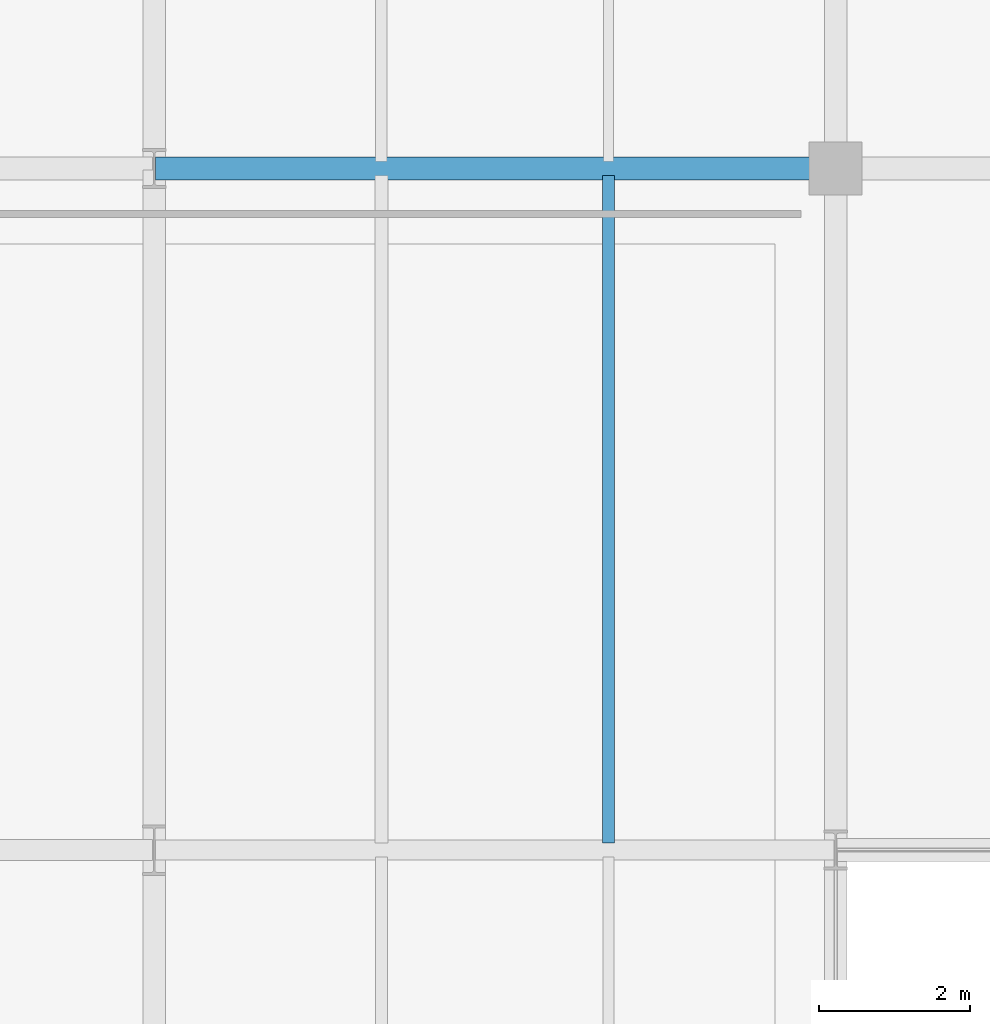
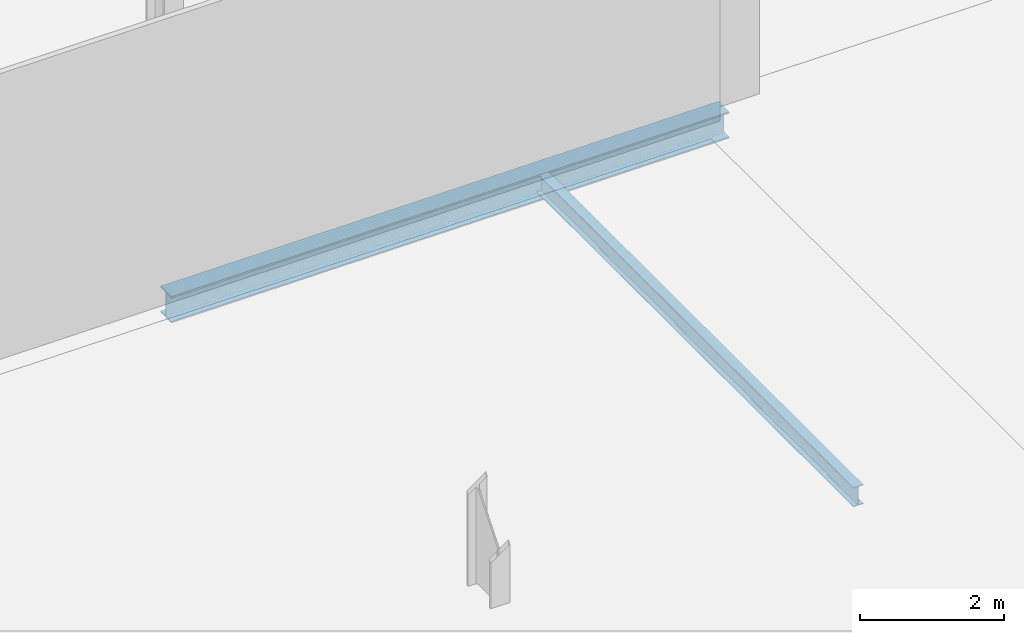
# One storey, part 50 of 211: 2 beams.
"""IFC4 building model written with IfcOpenShell, lengths in metres."""

from ifc_helpers import new_model, si_unit, direction, frame, origin, origin_2d, place, context, subcontext, project, spatial, i_section, extrude, material, material_profile, profile_set, type_object, element, save


model = new_model("IFC4")

# Units and contexts
model_context = context("Model", 3, precision=1e-05, world=origin(), true_north=direction((0.0, 1.0)))
body_context = subcontext(model_context, "Body", "Model", "MODEL_VIEW")
ifc_project = project(units=[si_unit("LENGTHUNIT", "METRE"), si_unit("AREAUNIT", "SQUARE_METRE"), si_unit("VOLUMEUNIT", "CUBIC_METRE"), si_unit("PLANEANGLEUNIT", "RADIAN"), si_unit("MASSUNIT", "GRAM", prefix="KILO")], contexts=[model_context])

# Site, building, storey
site_placement = place(None, origin())
site = spatial("IfcSite", under=ifc_project, at=site_placement, CompositionType="ELEMENT")
building_placement = place(site_placement, origin())
building = spatial("IfcBuilding", under=site, at=building_placement, Name="Barlavento Convention Centre", CompositionType="ELEMENT")
storey_placement = place(building_placement, frame((0.0, 0.0, 6.0)))
storey = spatial("IfcBuildingStorey", under=building, at=storey_placement, Name="L01", CompositionType="ELEMENT", Elevation=6.0)

# Beams
ifc_material = material(Name="Steel S355", Category="steel")
ifc_material_profile_1 = material_profile(ifc_material, i_section(OverallWidth=0.159912109375, OverallDepth=0.330078125, WebThickness=0.007568359375, FlangeThickness=0.011474609375, FilletRadius=0.01806640625, at=origin_2d()), Name="IPE 330")
ifc_profile_set_1 = profile_set([ifc_material_profile_1], Name="Steel S355")
beam_type_1 = type_object("IfcBeamType", Name="STR-BM-JST-IPE330", PredefinedType="JOIST", material=ifc_profile_set_1)
beam_1_placement = place(storey_placement, frame((15.0, 45.094970703125, -0.465087890625), z_axis=(0.0, 1.0, 0.0), x_axis=(-1.0, 0.0, 0.0)))
element("IfcBeam", 1, at=beam_1_placement, inside=storey, type_object=beam_type_1, Name="L01 composite floor joist SJ06", PredefinedType="JOIST", context=body_context, shape_type="SweptSolid", body=[
    extrude(i_section(OverallWidth=0.159912109375, OverallDepth=0.330078125, WebThickness=0.007568359375, FlangeThickness=0.011474609375, FilletRadius=0.01806640625, at=origin_2d()), origin(), (0.0, 0.0, 1.0), 8.81005859375),
])
ifc_material_profile_2 = material_profile(ifc_material, i_section(OverallWidth=0.300048828125, OverallDepth=0.449951171875, WebThickness=0.013916015625, FlangeThickness=0.02587890625, FilletRadius=0.027099609375, at=origin_2d()), Name="HEB 450")
ifc_profile_set_2 = profile_set([ifc_material_profile_2], Name="Steel S355")
beam_type_2 = type_object("IfcBeamType", Name="STR-BM-PRI-HEB450", PredefinedType="BEAM", material=ifc_profile_set_2)
beam_2_placement = place(storey_placement, frame((9.02001953125, 54.0, -0.52490234375), z_axis=(1.0, 0.0, 0.0), x_axis=(0.0, 1.0, 0.0)))
element("IfcBeam", 2, at=beam_2_placement, inside=storey, type_object=beam_type_2, Name="L01 primary girder BG10", PredefinedType="BEAM", context=body_context, shape_type="SweptSolid", body=[
    extrude(i_section(OverallWidth=0.300048828125, OverallDepth=0.449951171875, WebThickness=0.013916015625, FlangeThickness=0.02587890625, FilletRadius=0.027099609375, at=origin_2d()), origin(), (0.0, 0.0, 1.0), 8.9599609375),
])

save(model, "model.ifc")
